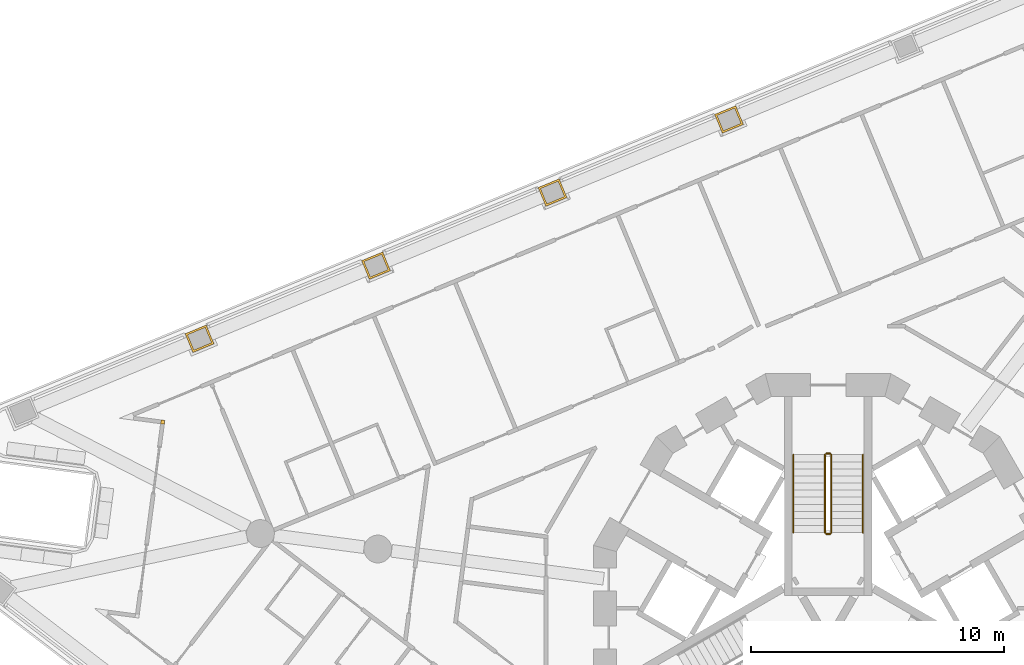
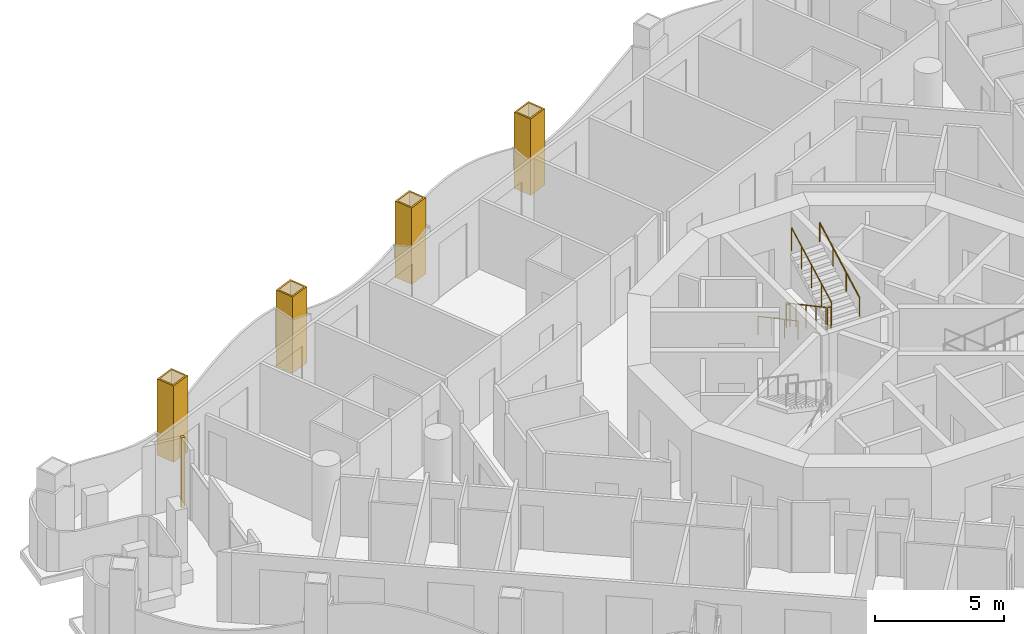
# One storey, part 15 of 17: 6 railings, 5 coverings.
"""IFC4 building model written with IfcOpenShell, lengths in metres."""

from ifc_helpers import new_model, si_unit, direction, frame, origin, origin_2d, place, context, subcontext, project, spatial, polyline, circle, outline, extrude, material, layer, layer_set, type_object, element, save


model = new_model("IFC4")

# Units and contexts
model_context = context("Model", 3, precision=1e-05, world=origin(), true_north=direction((0.0, 1.0)))
body_context = subcontext(model_context, "Body", "Model", "MODEL_VIEW")
ifc_project = project(units=[si_unit("LENGTHUNIT", "METRE"), si_unit("AREAUNIT", "SQUARE_METRE"), si_unit("VOLUMEUNIT", "CUBIC_METRE"), si_unit("PLANEANGLEUNIT", "RADIAN"), si_unit("MASSUNIT", "GRAM", prefix="KILO")], contexts=[model_context])

# Site, building, storey
site_placement = place(None, origin())
site = spatial("IfcSite", under=ifc_project, at=site_placement, CompositionType="ELEMENT")
building_placement = place(site_placement, origin())
building = spatial("IfcBuilding", under=site, at=building_placement, Name="Trine Commons Tower", CompositionType="ELEMENT")
storey_placement = place(building_placement, frame((0.0, 0.0, 131.39990234375)))
storey = spatial("IfcBuildingStorey", under=building, at=storey_placement, Name="L33", CompositionType="ELEMENT", Elevation=131.39990234375)

# Coverings
ifc_material_1 = material(Name="Aluminium-framed insulated wall panel", Category="aluminium")
ifc_layer_1 = layer(ifc_material_1, 0.14990234375)
ifc_layer_set_1 = layer_set([ifc_layer_1], Name="Aluminium-framed insulated wall panel")
covering_type_1 = type_object("IfcCoveringType", Name="Glazing corner post, aluminium", PredefinedType="CLADDING", material=ifc_layer_set_1)
covering_1_placement = place(storey_placement, origin())
element("IfcCovering", 1, at=covering_1_placement, inside=storey, type_object=covering_type_1, Name="Glazing corner post 4-03", PredefinedType="CLADDING", context=body_context, shape_type="SweptSolid", body=[
    extrude(outline(polyline([(53.610107421875, 69.797119140625), (53.7587890625, 69.77734375), (53.778564453125, 69.926025390625), (53.6298828125, 69.94580078125), (53.610107421875, 69.797119140625)])), origin(), (0.0, 0.0, 1.0), 3.300048828125),
])
ifc_material_2 = material(Name="Limestone, honed", Category="masonry")
ifc_layer_2 = layer(ifc_material_2, 0.074951171875)
ifc_layer_set_2 = layer_set([ifc_layer_2], Name="Limestone, honed")
covering_type_2 = type_object("IfcCoveringType", Name="Limestone column cladding 75", PredefinedType="CLADDING", material=ifc_layer_set_2)
covering_2_placement = place(storey_placement, origin())
element("IfcCovering", 2, at=covering_2_placement, inside=storey, type_object=covering_type_2, Name="Limestone pier cladding 4-10", PredefinedType="CLADDING", context=body_context, shape_type="SweptSolid", body=[
    extrude(outline(polyline([(55.719970703125, 72.957763671875), (55.413818359375, 73.69677734375), (54.582275390625, 73.352294921875), (54.888427734375, 72.61328125), (55.719970703125, 72.957763671875)]), holes=[polyline([(55.621826171875, 72.998291015625), (55.373291015625, 73.598876953125), (54.680419921875, 73.311767578125), (54.928955078125, 72.711181640625), (55.621826171875, 72.998291015625)])]), origin(), (0.0, 0.0, 1.0), 3.60009765625),
])
covering_3_placement = place(storey_placement, origin())
element("IfcCovering", 3, at=covering_3_placement, inside=storey, type_object=covering_type_2, Name="Limestone pier cladding 4-11", PredefinedType="CLADDING", context=body_context, shape_type="SweptSolid", body=[
    extrude(outline(polyline([(62.697021484375, 75.84765625), (62.390869140625, 76.5869140625), (61.559326171875, 76.2421875), (61.865478515625, 75.503173828125), (62.697021484375, 75.84765625)]), holes=[polyline([(62.59912109375, 75.88818359375), (62.350341796875, 76.48876953125), (61.657470703125, 76.201904296875), (61.906005859375, 75.601318359375), (62.59912109375, 75.88818359375)])]), origin(), (0.0, 0.0, 1.0), 3.60009765625),
])
covering_4_placement = place(storey_placement, origin())
element("IfcCovering", 4, at=covering_4_placement, inside=storey, type_object=covering_type_2, Name="Limestone pier cladding 4-12", PredefinedType="CLADDING", context=body_context, shape_type="SweptSolid", body=[
    extrude(outline(polyline([(69.674072265625, 78.73779296875), (69.367919921875, 79.476806640625), (68.53662109375, 79.13232421875), (68.842529296875, 78.393310546875), (69.674072265625, 78.73779296875)]), holes=[polyline([(69.576171875, 78.7783203125), (69.327392578125, 79.37890625), (68.634521484375, 79.091796875), (68.88330078125, 78.4912109375), (69.576171875, 78.7783203125)])]), origin(), (0.0, 0.0, 1.0), 3.60009765625),
])
covering_5_placement = place(storey_placement, origin())
element("IfcCovering", 5, at=covering_5_placement, inside=storey, type_object=covering_type_2, Name="Limestone pier cladding 4-13", PredefinedType="CLADDING", context=body_context, shape_type="SweptSolid", body=[
    extrude(outline(polyline([(76.651123046875, 81.627685546875), (76.34521484375, 82.366943359375), (75.513671875, 82.0224609375), (75.819580078125, 81.283203125), (76.651123046875, 81.627685546875)]), holes=[polyline([(76.55322265625, 81.668212890625), (76.304443359375, 82.268798828125), (75.611572265625, 81.98193359375), (75.8603515625, 81.38134765625), (76.55322265625, 81.668212890625)])]), origin(), (0.0, 0.0, 1.0), 3.60009765625),
])

# Railings
ifc_material_3 = material(Name="Stainless steel balustrade", Category="steel")
railing_type_1 = type_object("IfcRailingType", Name="Stair guard, steel balustrade 1100", PredefinedType="GUARDRAIL", material=ifc_material_3)
railing_1_placement = place(storey_placement, frame((79.875, 68.570556640625, 0.150146484375)))
element("IfcRailing", 6, at=railing_1_placement, inside=storey, type_object=railing_type_1, Name="L33 ST1B stair guard 1", PredefinedType="GUARDRAIL", context=body_context, shape_type="SweptSolid", body=[
    extrude(circle(Radius=0.02392578125, at=origin_2d()), frame((0.0, 0.0, 1.076171875), z_axis=(0.0, -0.881496589024, 0.472190389079), x_axis=(1.0, 0.0, 0.0)), (0.0, 0.0, 1.0), 3.494140625),
    extrude(circle(Radius=0.02099609375, at=origin_2d()), origin(), (0.0, 0.0, 1.0), 1.052001953125),
    extrude(circle(Radius=0.02099609375, at=origin_2d()), frame((0.0, -0.77001953125, 0.41259765625)), (0.0, 0.0, 1.0), 1.052001953125),
    extrude(circle(Radius=0.02099609375, at=origin_2d()), frame((0.0, -1.5400390625, 0.824951171875)), (0.0, 0.0, 1.0), 1.052001953125),
    extrude(circle(Radius=0.02099609375, at=origin_2d()), frame((0.0, -2.31005859375, 1.2373046875)), (0.0, 0.0, 1.0), 1.052001953125),
    extrude(circle(Radius=0.02099609375, at=origin_2d()), frame((0.0, -3.080078125, 1.64990234375)), (0.0, 0.0, 1.0), 1.052001953125),
])
railing_2_placement = place(storey_placement, frame((79.925048828125, 65.440673828125, 1.800048828125)))
element("IfcRailing", 7, at=railing_2_placement, inside=storey, type_object=railing_type_1, Name="L33 ST1B stair guard 2", PredefinedType="GUARDRAIL", context=body_context, shape_type="SweptSolid", body=[
    extrude(circle(Radius=0.02392578125, at=origin_2d()), frame((0.0, 0.0, 1.076171875), z_axis=(1.0, 0.0, 0.0), x_axis=(0.0, 1.0, 0.0)), (0.0, 0.0, 1.0), 0.14990234375),
    extrude(circle(Radius=0.02099609375, at=origin_2d()), origin(), (0.0, 0.0, 1.0), 1.052001953125),
    extrude(circle(Radius=0.02099609375, at=origin_2d()), frame((0.14990234375, 0.0, 0.0)), (0.0, 0.0, 1.0), 1.052001953125),
])
railing_3_placement = place(storey_placement, frame((80.125, 65.490478515625, 1.9501953125)))
element("IfcRailing", 8, at=railing_3_placement, inside=storey, type_object=railing_type_1, Name="L33 ST1B stair guard 3", PredefinedType="GUARDRAIL", context=body_context, shape_type="SweptSolid", body=[
    extrude(circle(Radius=0.02392578125, at=origin_2d()), frame((0.0, 0.0, 1.076171875), z_axis=(0.0, 0.881496589024, 0.472190389079), x_axis=(-1.0, 0.0, 0.0)), (0.0, 0.0, 1.0), 3.494140625),
    extrude(circle(Radius=0.02099609375, at=origin_2d()), origin(), (0.0, 0.0, 1.0), 1.052001953125),
    extrude(circle(Radius=0.02099609375, at=origin_2d()), frame((0.0, 0.77001953125, 0.41259765625)), (0.0, 0.0, 1.0), 1.052001953125),
    extrude(circle(Radius=0.02099609375, at=origin_2d()), frame((0.0, 1.5400390625, 0.824951171875)), (0.0, 0.0, 1.0), 1.052001953125),
    extrude(circle(Radius=0.02099609375, at=origin_2d()), frame((0.0, 2.31005859375, 1.2373046875)), (0.0, 0.0, 1.0), 1.052001953125),
    extrude(circle(Radius=0.02099609375, at=origin_2d()), frame((0.0, 3.080078125, 1.64990234375)), (0.0, 0.0, 1.0), 1.052001953125),
])
railing_4_placement = place(storey_placement, frame((79.925048828125, 68.62060546875, 0.0)))
element("IfcRailing", 9, at=railing_4_placement, inside=storey, type_object=railing_type_1, Name="L33 ST1B stair guard 4", PredefinedType="GUARDRAIL", context=body_context, shape_type="SweptSolid", body=[
    extrude(circle(Radius=0.02392578125, at=origin_2d()), frame((0.0, 0.0, 1.076171875), z_axis=(1.0, 0.0, 0.0), x_axis=(0.0, 1.0, 0.0)), (0.0, 0.0, 1.0), 0.14990234375),
    extrude(circle(Radius=0.02099609375, at=origin_2d()), origin(), (0.0, 0.0, 1.0), 1.052001953125),
    extrude(circle(Radius=0.02099609375, at=origin_2d()), frame((0.14990234375, 0.0, 0.0)), (0.0, 0.0, 1.0), 1.052001953125),
])
ifc_material_4 = material(Name="Stainless steel handrail", Category="steel")
railing_type_2 = type_object("IfcRailingType", Name="Stair handrail, steel 900", PredefinedType="HANDRAIL", material=ifc_material_4)
railing_5_placement = place(storey_placement, frame((78.625, 68.570556640625, 0.150146484375)))
element("IfcRailing", 10, at=railing_5_placement, inside=storey, type_object=railing_type_2, Name="L33 ST1B stair handrail 1", PredefinedType="HANDRAIL", context=body_context, shape_type="SweptSolid", body=[
    extrude(circle(Radius=0.02099609375, at=origin_2d()), frame((0.0, 0.0, 0.87890625), z_axis=(0.0, -0.881496589024, 0.472190389079), x_axis=(1.0, 0.0, 0.0)), (0.0, 0.0, 1.0), 3.494140625),
    extrude(circle(Radius=0.01513671875, at=origin_2d()), origin(), (0.0, 0.0, 1.0), 0.85791015625),
    extrude(circle(Radius=0.01513671875, at=origin_2d()), frame((0.0, -1.026611328125, 0.550048828125)), (0.0, 0.0, 1.0), 0.85791015625),
    extrude(circle(Radius=0.01513671875, at=origin_2d()), frame((0.0, -2.053466796875, 1.099853515625)), (0.0, 0.0, 1.0), 0.85791015625),
    extrude(circle(Radius=0.01513671875, at=origin_2d()), frame((0.0, -3.080078125, 1.64990234375)), (0.0, 0.0, 1.0), 0.85791015625),
])
railing_6_placement = place(storey_placement, frame((81.375, 65.490478515625, 1.9501953125)))
element("IfcRailing", 11, at=railing_6_placement, inside=storey, type_object=railing_type_2, Name="L33 ST1B stair handrail 2", PredefinedType="HANDRAIL", context=body_context, shape_type="SweptSolid", body=[
    extrude(circle(Radius=0.02099609375, at=origin_2d()), frame((0.0, 0.0, 0.87890625), z_axis=(0.0, 0.881496589024, 0.472190389079), x_axis=(-1.0, 0.0, 0.0)), (0.0, 0.0, 1.0), 3.494140625),
    extrude(circle(Radius=0.01513671875, at=origin_2d()), origin(), (0.0, 0.0, 1.0), 0.85791015625),
    extrude(circle(Radius=0.01513671875, at=origin_2d()), frame((0.0, 1.026611328125, 0.550048828125)), (0.0, 0.0, 1.0), 0.85791015625),
    extrude(circle(Radius=0.01513671875, at=origin_2d()), frame((0.0, 2.053466796875, 1.099853515625)), (0.0, 0.0, 1.0), 0.85791015625),
    extrude(circle(Radius=0.01513671875, at=origin_2d()), frame((0.0, 3.080078125, 1.64990234375)), (0.0, 0.0, 1.0), 0.85791015625),
])

save(model, "model.ifc")
